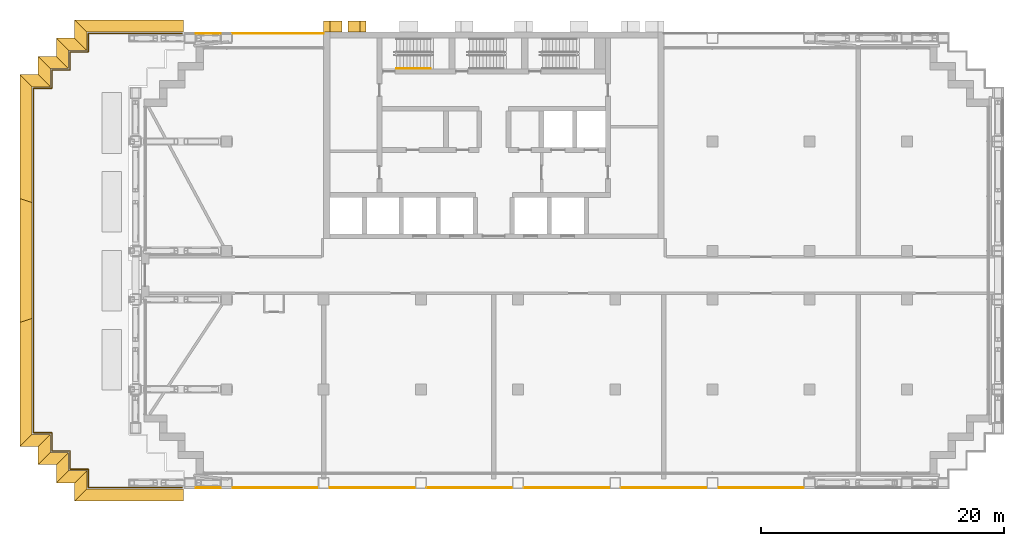
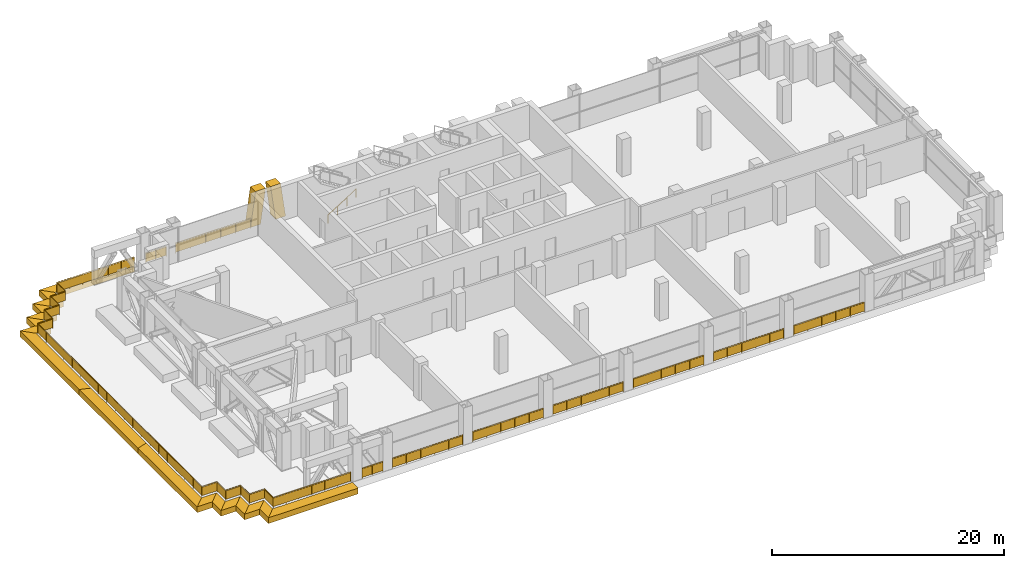
# One storey, part 17 of 19: 19 shading devices, 11 railings.
"""IFC4 building model written with IfcOpenShell, lengths in metres."""

import ifcopenshell
import ifcopenshell.guid

model = None  # the IFC model being written
_history = None  # IfcOwnerHistory: only IFC2X3 demands one
_inside = {}  # id of a spatial element -> (the spatial element, [elements in it])
_under = {}  # id of a project, library or spatial element -> (it, [spatial elements below it])
_declared = {}  # id of a project -> (the project, [libraries it declares])
_typed = {}  # id of a type object -> (the type object, [elements of that type])
_made_of = {}  # id of a material, layer set ... -> (it, [elements and type objects made of it])


def new_model(schema):
    """Start an empty IFC model of exactly this schema.

    Asked for "IFC4X3", IfcOpenShell would pick the latest addendum, in which some entities
    have other attributes; the version numbers below select the first issue.
    IFC2X3 requires an IfcOwnerHistory on every rooted entity: one is made here for all.
    """
    global model, _history
    if schema == "IFC4X3":
        model = ifcopenshell.file(schema_version=(4, 3, 0, 0))
    else:
        model = ifcopenshell.file(schema=schema)
    _inside.clear()
    _under.clear()
    _declared.clear()
    _typed.clear()
    _made_of.clear()
    _history = None
    if model.schema == "IFC2X3":
        org = make("IfcOrganization", Name="unknown")
        user = make(
            "IfcPersonAndOrganization",
            ThePerson=make("IfcPerson", FamilyName="unknown"),
            TheOrganization=org,
        )
        app = make(
            "IfcApplication",
            ApplicationDeveloper=org,
            Version="unknown",
            ApplicationFullName="unknown",
            ApplicationIdentifier="unknown",
        )
        _history = make(
            "IfcOwnerHistory",
            OwningUser=user,
            OwningApplication=app,
            ChangeAction="ADDED",
            CreationDate=0,
        )
    return model


def make(cls, **values):
    """One entity of the class cls with the attributes given. An attribute that is None is left unset."""
    return model.create_entity(
        cls, **{name: value for name, value in values.items() if value is not None}
    )


def rooted(cls, **values):
    """An entity with a GlobalId (a new one), such as an element, a storey or a relation."""
    return make(cls, GlobalId=ifcopenshell.guid.new(), OwnerHistory=_history, **values)


def si_unit(unit_type, name, prefix=None):
    """IfcSIUnit, for example si_unit("LENGTHUNIT", "METRE", prefix="MILLI")."""
    return make("IfcSIUnit", UnitType=unit_type, Prefix=prefix, Name=name)


def assignment(units):
    """IfcUnitAssignment: the units of a project."""
    return None if units is None else make("IfcUnitAssignment", Units=units)


def point(xyz):
    """IfcCartesianPoint."""
    return None if xyz is None else make("IfcCartesianPoint", Coordinates=xyz)


def direction(xyz):
    """IfcDirection."""
    return None if xyz is None else make("IfcDirection", DirectionRatios=xyz)


def frame(location, z_axis=None, x_axis=None):
    """IfcAxis2Placement3D, a coordinate frame: its origin and axes. An axis left out is left unset."""
    return make(
        "IfcAxis2Placement3D",
        Location=point(location),
        Axis=direction(z_axis),
        RefDirection=direction(x_axis),
    )


def frame_2d(location, x_axis=None):
    """IfcAxis2Placement2D, a coordinate frame in the plane: its origin and x axis."""
    return make(
        "IfcAxis2Placement2D", Location=point(location), RefDirection=direction(x_axis)
    )


def origin():
    """The frame at (0, 0, 0) with its axes left unset."""
    return frame((0.0, 0.0, 0.0))


def origin_2d():
    """The frame at (0, 0) in the plane with its x axis left unset."""
    return frame_2d((0.0, 0.0))


def place(relative_to, where):
    """IfcLocalPlacement: puts the frame where relative to a parent placement (None: the world)."""
    return make(
        "IfcLocalPlacement", PlacementRelTo=relative_to, RelativePlacement=where
    )


def context(
    kind, dimensions, precision=None, world=None, true_north=None, identifier=None
):
    """IfcGeometricRepresentationContext, for example the 3D "Model" context."""
    return make(
        "IfcGeometricRepresentationContext",
        ContextIdentifier=identifier,
        ContextType=kind,
        CoordinateSpaceDimension=dimensions,
        Precision=precision,
        WorldCoordinateSystem=world,
        TrueNorth=true_north,
    )


def subcontext(parent, identifier, kind, view, scale=None):
    """IfcGeometricRepresentationSubContext, for example "Body" below "Model"."""
    return make(
        "IfcGeometricRepresentationSubContext",
        ContextIdentifier=identifier,
        ContextType=kind,
        ParentContext=parent,
        TargetScale=scale,
        TargetView=view,
    )


def project(units=None, contexts=None):
    """IfcProject with its units and contexts."""
    return rooted(
        "IfcProject",
        Name="project",
        RepresentationContexts=contexts,
        UnitsInContext=assignment(units),
    )


def spatial(cls, under=None, at=None, **own):
    """A site, building, storey or space (cls), placed at a placement, below another one or the project."""
    s = rooted(cls, ObjectPlacement=at, **own)
    if under is not None:
        _under.setdefault(under.id(), (under, []))[1].append(s)
    return s


def polyline(points):
    """IfcPolyline through the points."""
    return make("IfcPolyline", Points=[point(p) for p in points])


def profile(cls, at=None, kind="AREA", **sizes):
    """A parametric profile (cls). Its sizes go by their IFC names, for example OverallWidth=200.0."""
    return make(cls, ProfileType=kind, Position=at, **sizes)


def rectangle(**sizes):
    """IfcRectangleProfileDef."""
    return profile("IfcRectangleProfileDef", **sizes)


def circle(**sizes):
    """IfcCircleProfileDef."""
    return profile("IfcCircleProfileDef", **sizes)


def outline(outer, holes=None, kind="AREA"):
    """IfcArbitraryClosedProfileDef: a profile drawn as a closed curve; with holes, ...WithVoids."""
    if holes is None:
        return make("IfcArbitraryClosedProfileDef", ProfileType=kind, OuterCurve=outer)
    return make(
        "IfcArbitraryProfileDefWithVoids",
        ProfileType=kind,
        OuterCurve=outer,
        InnerCurves=holes,
    )


def extrude(swept, where, along, depth):
    """IfcExtrudedAreaSolid: the profile swept, set in the frame where, extruded along a direction by depth."""
    return make(
        "IfcExtrudedAreaSolid",
        SweptArea=swept,
        Position=where,
        ExtrudedDirection=direction(along),
        Depth=depth,
    )


def shape(context_of_items, identifier, shape_type, items):
    """IfcShapeRepresentation: the items that make up one representation, for example the "Body"."""
    return make(
        "IfcShapeRepresentation",
        ContextOfItems=context_of_items,
        RepresentationIdentifier=identifier,
        RepresentationType=shape_type,
        Items=items,
    )


def material(Name=None, Category=None):
    """IfcMaterial."""
    return make("IfcMaterial", Name=Name, Category=Category)


def layer(
    of_material, thickness, ventilated=None, Name=None, Category=None, Priority=None
):
    """IfcMaterialLayer: one layer of a wall or slab, of a material (None: an air gap)."""
    return make(
        "IfcMaterialLayer",
        Material=of_material,
        LayerThickness=thickness,
        IsVentilated=ventilated,
        Name=Name,
        Category=Category,
        Priority=Priority,
    )


def layer_set(layers, Name=None):
    """IfcMaterialLayerSet."""
    return make("IfcMaterialLayerSet", MaterialLayers=layers, LayerSetName=Name)


def made_of(thing, what):
    """Note that an element or type object is made of a material, layer set ...; save() writes the relation."""
    if what is not None:
        _made_of.setdefault(what.id(), (what, []))[1].append(thing)
    return thing


def type_object(cls, material=None, **own):
    """A type object (cls), such as IfcWallType, which elements share."""
    return made_of(rooted(cls, **own), material)


def element(
    cls,
    number,
    at=None,
    inside=None,
    cuts=None,
    type_object=None,
    material=None,
    context=None,
    identifier="Body",
    shape_type=None,
    held_by="IfcProductDefinitionShape",
    body=None,
    shapes=None,
    **own,
):
    """One element of the class cls, such as IfcWall. Its Tag is "e" and its number.

    at: its placement. inside: the storey or other place that contains it. cuts: it is an
    opening in that element (IfcRelVoidsElement). A single representation is given by context,
    identifier, shape_type and body (its items); several are given by shapes. held_by: the class
    of the entity that holds the representations. save() writes the other relations.
    """
    e = rooted(cls, Tag="e%d" % number, ObjectPlacement=at, **own)
    if body is not None:
        shapes = [shape(context, identifier, shape_type, body)]
    if shapes is not None:
        e.Representation = make(held_by, Representations=shapes)
    if inside is not None:
        _inside.setdefault(inside.id(), (inside, []))[1].append(e)
    if cuts is not None:
        rooted(
            "IfcRelVoidsElement", RelatingBuildingElement=cuts, RelatedOpeningElement=e
        )
    if type_object is not None:
        _typed.setdefault(type_object.id(), (type_object, []))[1].append(e)
    return made_of(e, material)


def aggregate(whole, parts):
    """IfcRelAggregates: a whole, such as a stair, and the parts it consists of."""
    return rooted("IfcRelAggregates", RelatingObject=whole, RelatedObjects=parts)


def save(model, path):
    """Write the relations noted so far, then the file.

    IfcRelAggregates (storeys below a building ...), IfcRelContainedInSpatialStructure (elements
    in a storey), IfcRelDefinesByType, IfcRelAssociatesMaterial and IfcRelDeclares: one each for
    every whole, place, type object, material and project.
    """
    for whole, parts in _under.values():
        aggregate(whole, parts)
    for where, things in _inside.values():
        rooted(
            "IfcRelContainedInSpatialStructure",
            RelatedElements=things,
            RelatingStructure=where,
        )
    for kind, things in _typed.values():
        rooted("IfcRelDefinesByType", RelatedObjects=things, RelatingType=kind)
    for what, things in _made_of.values():
        rooted("IfcRelAssociatesMaterial", RelatedObjects=things, RelatingMaterial=what)
    for by, libraries in _declared.values():
        rooted("IfcRelDeclares", RelatingContext=by, RelatedDefinitions=libraries)
    model.write(path)


model = new_model("IFC4")

# Units and contexts
model_context = context("Model", 3, precision=1e-05, world=origin(), true_north=direction((0.0, 1.0)))
body_context = subcontext(model_context, "Body", "Model", "MODEL_VIEW")
ifc_project = project(units=[si_unit("LENGTHUNIT", "METRE"), si_unit("AREAUNIT", "SQUARE_METRE"), si_unit("VOLUMEUNIT", "CUBIC_METRE"), si_unit("PLANEANGLEUNIT", "RADIAN"), si_unit("MASSUNIT", "GRAM", prefix="KILO")], contexts=[model_context])

# Site, building, storey
site_placement = place(None, origin())
site = spatial("IfcSite", under=ifc_project, at=site_placement, CompositionType="ELEMENT")
building_placement = place(site_placement, origin())
building = spatial("IfcBuilding", under=site, at=building_placement, Name="Vidyagriha Tower", CompositionType="ELEMENT")
storey_placement = place(building_placement, frame((0.0, 0.0, 73.60009765625)))
storey = spatial("IfcBuildingStorey", under=building, at=storey_placement, Name="L18", CompositionType="ELEMENT", Elevation=73.60009765625)

# Shading devices
ifc_material_1 = material(Name="Precast concrete C40/50 with brick facing", Category="concrete")
ifc_layer_1 = layer(ifc_material_1, 1.0)
ifc_layer_set_1 = layer_set([ifc_layer_1], Name="Precast concrete C40/50 with brick facing")
shading_device_type_1 = type_object("IfcShadingDeviceType", Name="Brick chhajja fascia 600", PredefinedType="USERDEFINED", material=ifc_layer_set_1)
shading_device_1_placement = place(storey_placement, frame((0.0, 0.0, -0.60009765625)))
element("IfcShadingDevice", 1, at=shading_device_1_placement, inside=storey, type_object=shading_device_type_1, Name="Chhajja fascia TR-B2-1 1", ObjectType="CHHAJJA", PredefinedType="USERDEFINED", context=body_context, shape_type="SweptSolid", body=[
    extrude(outline(polyline([(-25.550048828125, 20.0), (-25.550048828125, 21.0), (-34.5, 21.0), (-33.5, 20.0), (-25.550048828125, 20.0)])), origin(), (0.0, 0.0, 1.0), 0.60009765625),
])
shading_device_2_placement = place(storey_placement, frame((0.0, 0.0, -0.60009765625)))
element("IfcShadingDevice", 2, at=shading_device_2_placement, inside=storey, type_object=shading_device_type_1, Name="Chhajja fascia TR-B2-1 2", ObjectType="CHHAJJA", PredefinedType="USERDEFINED", context=body_context, shape_type="SweptSolid", body=[
    extrude(outline(polyline([(-33.5, 20.0), (-34.5, 21.0), (-34.5, 19.5), (-33.5, 18.5), (-33.5, 20.0)])), origin(), (0.0, 0.0, 1.0), 0.60009765625),
])
shading_device_3_placement = place(storey_placement, frame((0.0, 0.0, -0.60009765625)))
element("IfcShadingDevice", 3, at=shading_device_3_placement, inside=storey, type_object=shading_device_type_1, Name="Chhajja fascia TR-B2-1 3", ObjectType="CHHAJJA", PredefinedType="USERDEFINED", context=body_context, shape_type="SweptSolid", body=[
    extrude(outline(polyline([(-33.5, 18.5), (-34.5, 19.5), (-36.0, 19.5), (-35.0, 18.5), (-33.5, 18.5)])), origin(), (0.0, 0.0, 1.0), 0.60009765625),
])
shading_device_4_placement = place(storey_placement, frame((0.0, 0.0, -0.60009765625)))
element("IfcShadingDevice", 4, at=shading_device_4_placement, inside=storey, type_object=shading_device_type_1, Name="Chhajja fascia TR-B2-1 4", ObjectType="CHHAJJA", PredefinedType="USERDEFINED", context=body_context, shape_type="SweptSolid", body=[
    extrude(outline(polyline([(-35.0, 18.5), (-36.0, 19.5), (-36.0, 18.0), (-35.0, 17.0), (-35.0, 18.5)])), origin(), (0.0, 0.0, 1.0), 0.60009765625),
])
shading_device_5_placement = place(storey_placement, frame((0.0, 0.0, -0.60009765625)))
element("IfcShadingDevice", 5, at=shading_device_5_placement, inside=storey, type_object=shading_device_type_1, Name="Chhajja fascia TR-B2-1 5", ObjectType="CHHAJJA", PredefinedType="USERDEFINED", context=body_context, shape_type="SweptSolid", body=[
    extrude(outline(polyline([(-35.0, 17.0), (-36.0, 18.0), (-37.5, 18.0), (-36.5, 17.0), (-35.0, 17.0)])), origin(), (0.0, 0.0, 1.0), 0.60009765625),
])
shading_device_6_placement = place(storey_placement, frame((0.0, 0.0, -0.60009765625)))
element("IfcShadingDevice", 6, at=shading_device_6_placement, inside=storey, type_object=shading_device_type_1, Name="Chhajja fascia TR-B2-1 6", ObjectType="CHHAJJA", PredefinedType="USERDEFINED", context=body_context, shape_type="SweptSolid", body=[
    extrude(outline(polyline([(-36.5, 17.0), (-37.5, 18.0), (-37.5, 16.5), (-36.5, 15.5), (-36.5, 17.0)])), origin(), (0.0, 0.0, 1.0), 0.60009765625),
])
shading_device_7_placement = place(storey_placement, frame((0.0, 0.0, -0.60009765625)))
element("IfcShadingDevice", 7, at=shading_device_7_placement, inside=storey, type_object=shading_device_type_1, Name="Chhajja fascia TR-B2-1 7", ObjectType="CHHAJJA", PredefinedType="USERDEFINED", context=body_context, shape_type="SweptSolid", body=[
    extrude(outline(polyline([(-36.5, 15.5), (-37.5, 16.5), (-39.0, 16.5), (-38.0, 15.5), (-36.5, 15.5)])), origin(), (0.0, 0.0, 1.0), 0.60009765625),
])
shading_device_8_placement = place(storey_placement, frame((0.0, 0.0, -0.60009765625)))
element("IfcShadingDevice", 8, at=shading_device_8_placement, inside=storey, type_object=shading_device_type_1, Name="Chhajja fascia TR-B2-1 8", ObjectType="CHHAJJA", PredefinedType="USERDEFINED", context=body_context, shape_type="SweptSolid", body=[
    extrude(outline(polyline([(-38.0, 15.5), (-39.0, 16.5), (-39.0, 6.300048828125), (-38.0, 5.966796875), (-38.0, 15.5)])), origin(), (0.0, 0.0, 1.0), 0.60009765625),
])
shading_device_9_placement = place(storey_placement, frame((0.0, 0.0, -0.60009765625)))
element("IfcShadingDevice", 9, at=shading_device_9_placement, inside=storey, type_object=shading_device_type_1, Name="Chhajja fascia TR-B2-1 9", ObjectType="CHHAJJA", PredefinedType="USERDEFINED", context=body_context, shape_type="SweptSolid", body=[
    extrude(outline(polyline([(-38.0, 5.966796875), (-39.0, 6.300048828125), (-39.0, -3.89990234375), (-38.0, -3.566650390625), (-38.0, 5.966796875)])), origin(), (0.0, 0.0, 1.0), 0.60009765625),
])
shading_device_10_placement = place(storey_placement, frame((0.0, 0.0, -0.60009765625)))
element("IfcShadingDevice", 10, at=shading_device_10_placement, inside=storey, type_object=shading_device_type_1, Name="Chhajja fascia TR-B2-1 10", ObjectType="CHHAJJA", PredefinedType="USERDEFINED", context=body_context, shape_type="SweptSolid", body=[
    extrude(outline(polyline([(-38.0, -3.566650390625), (-39.0, -3.89990234375), (-39.0, -14.10009765625), (-38.0, -13.10009765625), (-38.0, -3.566650390625)])), origin(), (0.0, 0.0, 1.0), 0.60009765625),
])
shading_device_11_placement = place(storey_placement, frame((0.0, 0.0, -0.60009765625)))
element("IfcShadingDevice", 11, at=shading_device_11_placement, inside=storey, type_object=shading_device_type_1, Name="Chhajja fascia TR-B2-1 11", ObjectType="CHHAJJA", PredefinedType="USERDEFINED", context=body_context, shape_type="SweptSolid", body=[
    extrude(outline(polyline([(-38.0, -13.10009765625), (-39.0, -14.10009765625), (-37.5, -14.10009765625), (-36.5, -13.10009765625), (-38.0, -13.10009765625)])), origin(), (0.0, 0.0, 1.0), 0.60009765625),
])
shading_device_12_placement = place(storey_placement, frame((0.0, 0.0, -0.60009765625)))
element("IfcShadingDevice", 12, at=shading_device_12_placement, inside=storey, type_object=shading_device_type_1, Name="Chhajja fascia TR-B2-1 12", ObjectType="CHHAJJA", PredefinedType="USERDEFINED", context=body_context, shape_type="SweptSolid", body=[
    extrude(outline(polyline([(-36.5, -13.10009765625), (-37.5, -14.10009765625), (-37.5, -15.60009765625), (-36.5, -14.60009765625), (-36.5, -13.10009765625)])), origin(), (0.0, 0.0, 1.0), 0.60009765625),
])
shading_device_13_placement = place(storey_placement, frame((0.0, 0.0, -0.60009765625)))
element("IfcShadingDevice", 13, at=shading_device_13_placement, inside=storey, type_object=shading_device_type_1, Name="Chhajja fascia TR-B2-1 13", ObjectType="CHHAJJA", PredefinedType="USERDEFINED", context=body_context, shape_type="SweptSolid", body=[
    extrude(outline(polyline([(-36.5, -14.60009765625), (-37.5, -15.60009765625), (-36.0, -15.60009765625), (-35.0, -14.60009765625), (-36.5, -14.60009765625)])), origin(), (0.0, 0.0, 1.0), 0.60009765625),
])
shading_device_14_placement = place(storey_placement, frame((0.0, 0.0, -0.60009765625)))
element("IfcShadingDevice", 14, at=shading_device_14_placement, inside=storey, type_object=shading_device_type_1, Name="Chhajja fascia TR-B2-1 14", ObjectType="CHHAJJA", PredefinedType="USERDEFINED", context=body_context, shape_type="SweptSolid", body=[
    extrude(outline(polyline([(-35.0, -14.60009765625), (-36.0, -15.60009765625), (-36.0, -17.10009765625), (-35.0, -16.10009765625), (-35.0, -14.60009765625)])), origin(), (0.0, 0.0, 1.0), 0.60009765625),
])
shading_device_15_placement = place(storey_placement, frame((0.0, 0.0, -0.60009765625)))
element("IfcShadingDevice", 15, at=shading_device_15_placement, inside=storey, type_object=shading_device_type_1, Name="Chhajja fascia TR-B2-1 15", ObjectType="CHHAJJA", PredefinedType="USERDEFINED", context=body_context, shape_type="SweptSolid", body=[
    extrude(outline(polyline([(-35.0, -16.10009765625), (-36.0, -17.10009765625), (-34.5, -17.10009765625), (-33.5, -16.10009765625), (-35.0, -16.10009765625)])), origin(), (0.0, 0.0, 1.0), 0.60009765625),
])
shading_device_16_placement = place(storey_placement, frame((0.0, 0.0, -0.60009765625)))
element("IfcShadingDevice", 16, at=shading_device_16_placement, inside=storey, type_object=shading_device_type_1, Name="Chhajja fascia TR-B2-1 16", ObjectType="CHHAJJA", PredefinedType="USERDEFINED", context=body_context, shape_type="SweptSolid", body=[
    extrude(outline(polyline([(-33.5, -16.10009765625), (-34.5, -17.10009765625), (-34.5, -18.60009765625), (-33.5, -17.60009765625), (-33.5, -16.10009765625)])), origin(), (0.0, 0.0, 1.0), 0.60009765625),
])
shading_device_17_placement = place(storey_placement, frame((0.0, 0.0, -0.60009765625)))
element("IfcShadingDevice", 17, at=shading_device_17_placement, inside=storey, type_object=shading_device_type_1, Name="Chhajja fascia TR-B2-1 17", ObjectType="CHHAJJA", PredefinedType="USERDEFINED", context=body_context, shape_type="SweptSolid", body=[
    extrude(outline(polyline([(-33.5, -17.60009765625), (-34.5, -18.60009765625), (-25.550048828125, -18.60009765625), (-25.550048828125, -17.60009765625), (-33.5, -17.60009765625)])), origin(), (0.0, 0.0, 1.0), 0.60009765625),
])
ifc_material_2 = material(Name="Precast concrete C40/50 with brick facing", Category="concrete")
ifc_layer_2 = layer(ifc_material_2, 1.0)
ifc_layer_set_2 = layer_set([ifc_layer_2], Name="Precast concrete C40/50 with brick facing")
shading_device_type_2 = type_object("IfcShadingDeviceType", Name="Brick-faced rear rib arm leaning 8 degrees", PredefinedType="USERDEFINED", material=ifc_layer_set_2)
shading_device_18_placement = place(storey_placement, frame((-10.5, 20.449951171875, 0.0), z_axis=(0.0, 0.0, 1.0), x_axis=(-1.0, 0.0, 0.0)))
element("IfcShadingDevice", 18, at=shading_device_18_placement, inside=storey, type_object=shading_device_type_2, Name="Rear rib arm L18 R08.5a", ObjectType="BLADE FIN", PredefinedType="USERDEFINED", context=body_context, shape_type="SweptSolid", body=[
    extrude(outline(polyline([(0.0, 0.0), (1.0, 0.0), (1.5, 3.619873046875), (0.5, 3.619873046875), (0.0, 0.0)])), frame((0.0, 0.449951171875, 0.0), z_axis=(0.0, -1.0, 0.0), x_axis=(1.0, 0.0, 0.0)), (0.0, 0.0, 1.0), 0.89990234375),
])
shading_device_19_placement = place(storey_placement, frame((-12.5, 20.449951171875, 0.0), z_axis=(0.0, 0.0, 1.0), x_axis=(-1.0, 0.0, 0.0)))
element("IfcShadingDevice", 19, at=shading_device_19_placement, inside=storey, type_object=shading_device_type_2, Name="Rear rib arm L18 R08.5b", ObjectType="BLADE FIN", PredefinedType="USERDEFINED", context=body_context, shape_type="SweptSolid", body=[
    extrude(outline(polyline([(0.5, 0.0), (1.5, 0.0), (1.0, 3.619873046875), (0.0, 3.619873046875), (0.5, 0.0)])), frame((0.0, 0.449951171875, 0.0), z_axis=(0.0, -1.0, 0.0), x_axis=(1.0, 0.0, 0.0)), (0.0, 0.0, 1.0), 0.89990234375),
])

# Railings
ifc_material_3 = material(Name="Steel ASTM A500 Grade C black painted", Category="steel")
railing_type_1 = type_object("IfcRailingType", Name="Gallery guard 1100", PredefinedType="GUARDRAIL", material=ifc_material_3)
railing_1_placement = place(storey_placement, frame((-22.47998046875, -17.5, 0.0)))
element("IfcRailing", 20, at=railing_1_placement, inside=storey, type_object=railing_type_1, Name="Gallery guard L18 1", PredefinedType="GUARDRAIL", context=body_context, shape_type="SweptSolid", body=[
    extrude(circle(Radius=0.02490234375, at=origin_2d()), frame((0.0, 0.0, 1.0751953125), z_axis=(-1.0, 0.0, 0.0), x_axis=(0.0, -1.0, 0.0)), (0.0, 0.0, 1.0), 2.0400390625),
    extrude(circle(Radius=0.02001953125, at=origin_2d()), origin(), (0.0, 0.0, 1.0), 1.050048828125),
    extrude(circle(Radius=0.02001953125, at=origin_2d()), frame((-1.02001953125, 0.0, 0.0)), (0.0, 0.0, 1.0), 1.050048828125),
    extrude(circle(Radius=0.02001953125, at=origin_2d()), frame((-2.0400390625, 0.0, 0.0)), (0.0, 0.0, 1.0), 1.050048828125),
    extrude(rectangle(XDim=0.010009765625, YDim=0.900146484375, at=origin_2d()), frame((0.0, 0.0, 0.550048828125), z_axis=(-1.0, 0.0, 0.0), x_axis=(0.0, -1.0, 0.0)), (0.0, 0.0, 1.0), 2.0400390625),
])
railing_2_placement = place(storey_placement, frame((-24.52001953125, 19.89990234375, 0.0)))
element("IfcRailing", 21, at=railing_2_placement, inside=storey, type_object=railing_type_1, Name="Gallery guard L18 2", PredefinedType="GUARDRAIL", context=body_context, shape_type="SweptSolid", body=[
    extrude(circle(Radius=0.02490234375, at=origin_2d()), frame((0.0, 0.0, 1.0751953125), z_axis=(1.0, 0.0, 0.0), x_axis=(0.0, 1.0, 0.0)), (0.0, 0.0, 1.0), 2.0400390625),
    extrude(circle(Radius=0.02001953125, at=origin_2d()), origin(), (0.0, 0.0, 1.0), 1.050048828125),
    extrude(circle(Radius=0.02001953125, at=origin_2d()), frame((1.02001953125, 0.0, 0.0)), (0.0, 0.0, 1.0), 1.050048828125),
    extrude(circle(Radius=0.02001953125, at=origin_2d()), frame((2.0400390625, 0.0, 0.0)), (0.0, 0.0, 1.0), 1.050048828125),
    extrude(rectangle(XDim=0.010009765625, YDim=0.900146484375, at=origin_2d()), frame((0.0, 0.0, 0.550048828125), z_axis=(1.0, 0.0, 0.0), x_axis=(0.0, 1.0, 0.0)), (0.0, 0.0, 1.0), 2.0400390625),
])
railing_3_placement = place(storey_placement, frame((-14.47998046875, -17.5, 0.0)))
element("IfcRailing", 22, at=railing_3_placement, inside=storey, type_object=railing_type_1, Name="Gallery guard L18 3", PredefinedType="GUARDRAIL", context=body_context, shape_type="SweptSolid", body=[
    extrude(circle(Radius=0.02490234375, at=origin_2d()), frame((0.0, 0.0, 1.0751953125), z_axis=(-1.0, 0.0, 0.0), x_axis=(0.0, -1.0, 0.0)), (0.0, 0.0, 1.0), 7.0400390625),
    extrude(circle(Radius=0.02001953125, at=origin_2d()), origin(), (0.0, 0.0, 1.0), 1.050048828125),
    extrude(circle(Radius=0.02001953125, at=origin_2d()), frame((-1.407958984375, 0.0, 0.0)), (0.0, 0.0, 1.0), 1.050048828125),
    extrude(circle(Radius=0.02001953125, at=origin_2d()), frame((-2.81591796875, 0.0, 0.0)), (0.0, 0.0, 1.0), 1.050048828125),
    extrude(circle(Radius=0.02001953125, at=origin_2d()), frame((-4.22412109375, 0.0, 0.0)), (0.0, 0.0, 1.0), 1.050048828125),
    extrude(circle(Radius=0.02001953125, at=origin_2d()), frame((-5.632080078125, 0.0, 0.0)), (0.0, 0.0, 1.0), 1.050048828125),
    extrude(circle(Radius=0.02001953125, at=origin_2d()), frame((-7.0400390625, 0.0, 0.0)), (0.0, 0.0, 1.0), 1.050048828125),
    extrude(rectangle(XDim=0.010009765625, YDim=0.900146484375, at=origin_2d()), frame((0.0, 0.0, 0.550048828125), z_axis=(-1.0, 0.0, 0.0), x_axis=(0.0, -1.0, 0.0)), (0.0, 0.0, 1.0), 7.0400390625),
])
railing_4_placement = place(storey_placement, frame((-21.52001953125, 19.89990234375, 0.0)))
element("IfcRailing", 23, at=railing_4_placement, inside=storey, type_object=railing_type_1, Name="Gallery guard L18 4", PredefinedType="GUARDRAIL", context=body_context, shape_type="SweptSolid", body=[
    extrude(circle(Radius=0.02490234375, at=origin_2d()), frame((0.0, 0.0, 1.0751953125), z_axis=(1.0, 0.0, 0.0), x_axis=(0.0, 1.0, 0.0)), (0.0, 0.0, 1.0), 7.489990234375),
    extrude(circle(Radius=0.02001953125, at=origin_2d()), origin(), (0.0, 0.0, 1.0), 1.050048828125),
    extrude(circle(Radius=0.02001953125, at=origin_2d()), frame((1.498046875, 0.0, 0.0)), (0.0, 0.0, 1.0), 1.050048828125),
    extrude(circle(Radius=0.02001953125, at=origin_2d()), frame((2.99609375, 0.0, 0.0)), (0.0, 0.0, 1.0), 1.050048828125),
    extrude(circle(Radius=0.02001953125, at=origin_2d()), frame((4.493896484375, 0.0, 0.0)), (0.0, 0.0, 1.0), 1.050048828125),
    extrude(circle(Radius=0.02001953125, at=origin_2d()), frame((5.991943359375, 0.0, 0.0)), (0.0, 0.0, 1.0), 1.050048828125),
    extrude(circle(Radius=0.02001953125, at=origin_2d()), frame((7.489990234375, 0.0, 0.0)), (0.0, 0.0, 1.0), 1.050048828125),
    extrude(rectangle(XDim=0.010009765625, YDim=0.900146484375, at=origin_2d()), frame((0.0, 0.0, 0.550048828125), z_axis=(1.0, 0.0, 0.0), x_axis=(0.0, 1.0, 0.0)), (0.0, 0.0, 1.0), 7.489990234375),
])
for number, where, name in (
    (24, (-6.47998046875, -17.5, 0.0), "Gallery guard L18 5"),
    (25, (1.52001953125, -17.5, 0.0), "Gallery guard L18 6"),
    (26, (9.52001953125, -17.5, 0.0), "Gallery guard L18 7"),
    (27, (17.52001953125, -17.5, 0.0), "Gallery guard L18 8"),
    (28, (25.52001953125, -17.5, 0.0), "Gallery guard L18 10"),
):
    element("IfcRailing", number, at=place(storey_placement, frame(where)), inside=storey, type_object=railing_type_1, Name=name, PredefinedType="GUARDRAIL", context=body_context, shape_type="SweptSolid", body=[
        extrude(circle(Radius=0.02490234375, at=origin_2d()), frame((0.0, 0.0, 1.0751953125), z_axis=(-1.0, 0.0, 0.0), x_axis=(0.0, -1.0, 0.0)), (0.0, 0.0, 1.0), 7.0400390625),
        extrude(circle(Radius=0.02001953125, at=origin_2d()), origin(), (0.0, 0.0, 1.0), 1.050048828125),
        extrude(circle(Radius=0.02001953125, at=origin_2d()), frame((-1.407958984375, 0.0, 0.0)), (0.0, 0.0, 1.0), 1.050048828125),
        extrude(circle(Radius=0.02001953125, at=origin_2d()), frame((-2.81591796875, 0.0, 0.0)), (0.0, 0.0, 1.0), 1.050048828125),
        extrude(circle(Radius=0.02001953125, at=origin_2d()), frame((-4.22412109375, 0.0, 0.0)), (0.0, 0.0, 1.0), 1.050048828125),
        extrude(circle(Radius=0.02001953125, at=origin_2d()), frame((-5.632080078125, 0.0, 0.0)), (0.0, 0.0, 1.0), 1.050048828125),
        extrude(circle(Radius=0.02001953125, at=origin_2d()), frame((-7.0400390625, 0.0, 0.0)), (0.0, 0.0, 1.0), 1.050048828125),
        extrude(rectangle(XDim=0.010009765625, YDim=0.900146484375, at=origin_2d()), frame((0.0, 0.0, 0.550048828125), z_axis=(-1.0, 0.0, 0.0), x_axis=(0.0, -1.0, 0.0)), (0.0, 0.0, 1.0), 7.0400390625),
    ])
ifc_material_4 = material(Name="Steel ASTM A500 Grade C", Category="steel")
railing_type_2 = type_object("IfcRailingType", Name="Stair handrail 900 mm, steel", PredefinedType="HANDRAIL", material=ifc_material_4)
railing_5_placement = place(storey_placement, frame((-8.0, 17.0, 0.17724609375)))
element("IfcRailing", 29, at=railing_5_placement, inside=storey, type_object=railing_type_2, Name="L18 ST1 stair handrail 1", PredefinedType="HANDRAIL", context=body_context, shape_type="SweptSolid", body=[
    extrude(circle(Radius=0.02392578125, at=origin_2d()), frame((0.0, 0.0, 0.8759765625), z_axis=(0.844908973607, 0.0, 0.534910110503), x_axis=(0.0, 1.0, 0.0)), (0.0, 0.0, 1.0), 3.31396484375),
    extrude(circle(Radius=0.02099609375, at=origin_2d()), origin(), (0.0, 0.0, 1.0), 0.851806640625),
    extrude(circle(Radius=0.02099609375, at=origin_2d()), frame((0.933349609375, 0.0, 0.5908203125)), (0.0, 0.0, 1.0), 0.851806640625),
    extrude(circle(Radius=0.02099609375, at=origin_2d()), frame((1.86669921875, 0.0, 1.181884765625)), (0.0, 0.0, 1.0), 0.851806640625),
    extrude(circle(Radius=0.02099609375, at=origin_2d()), frame((2.800048828125, 0.0, 1.772705078125)), (0.0, 0.0, 1.0), 0.851806640625),
])
ifc_material_5 = material(Name="Steel ASTM A500 Grade C black painted", Category="steel")
railing_type_3 = type_object("IfcRailingType", Name="Terrace guard 1100", PredefinedType="GUARDRAIL", material=ifc_material_5)
railing_6_placement = place(storey_placement, frame((-25.669921875, -17.47998046875, 0.0)))
element("IfcRailing", 30, at=railing_6_placement, inside=storey, type_object=railing_type_3, Name="Terrace guard TR-B2-1 1", PredefinedType="GUARDRAIL", context=body_context, shape_type="SweptSolid", body=[
    extrude(circle(Radius=0.02490234375, at=origin_2d()), frame((0.0, 0.0, 1.0751953125), z_axis=(-1.0, 0.0, 0.0), x_axis=(0.0, -1.0, 0.0)), (0.0, 0.0, 1.0), 7.7099609375),
    extrude(circle(Radius=0.02490234375, at=origin_2d()), frame((-7.7099609375, 0.0, 1.0751953125), z_axis=(0.0, 1.0, 0.0), x_axis=(-1.0, 0.0, 0.0)), (0.0, 0.0, 1.0), 1.5),
    extrude(circle(Radius=0.02490234375, at=origin_2d()), frame((-7.7099609375, 1.5, 1.0751953125), z_axis=(-1.0, 0.0, 0.0), x_axis=(0.0, -1.0, 0.0)), (0.0, 0.0, 1.0), 1.5),
    extrude(circle(Radius=0.02490234375, at=origin_2d()), frame((-9.2099609375, 1.5, 1.0751953125), z_axis=(0.0, 1.0, 0.0), x_axis=(-1.0, 0.0, 0.0)), (0.0, 0.0, 1.0), 1.5),
    extrude(circle(Radius=0.02490234375, at=origin_2d()), frame((-9.2099609375, 3.0, 1.0751953125), z_axis=(-1.0, 0.0, 0.0), x_axis=(0.0, -1.0, 0.0)), (0.0, 0.0, 1.0), 1.5),
    extrude(circle(Radius=0.02490234375, at=origin_2d()), frame((-10.7099609375, 3.0, 1.0751953125), z_axis=(0.0, 1.0, 0.0), x_axis=(-1.0, 0.0, 0.0)), (0.0, 0.0, 1.0), 1.5),
    extrude(circle(Radius=0.02490234375, at=origin_2d()), frame((-10.7099609375, 4.5, 1.0751953125), z_axis=(-1.0, 0.0, 0.0), x_axis=(0.0, -1.0, 0.0)), (0.0, 0.0, 1.0), 1.5),
    extrude(circle(Radius=0.02490234375, at=origin_2d()), frame((-12.2099609375, 4.5, 1.0751953125), z_axis=(0.0, 1.0, 0.0), x_axis=(-1.0, 0.0, 0.0)), (0.0, 0.0, 1.0), 28.35986328125),
    extrude(circle(Radius=0.02490234375, at=origin_2d()), frame((-12.2099609375, 32.85986328125, 1.0751953125), z_axis=(1.0, 0.0, 0.0), x_axis=(0.0, 1.0, 0.0)), (0.0, 0.0, 1.0), 1.5),
    extrude(circle(Radius=0.02490234375, at=origin_2d()), frame((-10.7099609375, 32.85986328125, 1.0751953125), z_axis=(0.0, 1.0, 0.0), x_axis=(-1.0, 0.0, 0.0)), (0.0, 0.0, 1.0), 1.5),
    extrude(circle(Radius=0.02490234375, at=origin_2d()), frame((-10.7099609375, 34.35986328125, 1.0751953125), z_axis=(1.0, 0.0, 0.0), x_axis=(0.0, 1.0, 0.0)), (0.0, 0.0, 1.0), 1.5),
    extrude(circle(Radius=0.02490234375, at=origin_2d()), frame((-9.2099609375, 34.35986328125, 1.0751953125), z_axis=(0.0, 1.0, 0.0), x_axis=(-1.0, 0.0, 0.0)), (0.0, 0.0, 1.0), 1.5),
    extrude(circle(Radius=0.02490234375, at=origin_2d()), frame((-9.2099609375, 35.85986328125, 1.0751953125), z_axis=(1.0, 0.0, 0.0), x_axis=(0.0, 1.0, 0.0)), (0.0, 0.0, 1.0), 1.5),
    extrude(circle(Radius=0.02490234375, at=origin_2d()), frame((-7.7099609375, 35.85986328125, 1.0751953125), z_axis=(0.0, 1.0, 0.0), x_axis=(-1.0, 0.0, 0.0)), (0.0, 0.0, 1.0), 1.5),
    extrude(circle(Radius=0.02490234375, at=origin_2d()), frame((-7.7099609375, 37.35986328125, 1.0751953125), z_axis=(1.0, 0.0, 0.0), x_axis=(0.0, 1.0, 0.0)), (0.0, 0.0, 1.0), 7.7099609375),
    extrude(circle(Radius=0.02001953125, at=origin_2d()), origin(), (0.0, 0.0, 1.0), 1.050048828125),
    extrude(circle(Radius=0.02001953125, at=origin_2d()), frame((-1.284912109375, 0.0, 0.0)), (0.0, 0.0, 1.0), 1.050048828125),
    extrude(circle(Radius=0.02001953125, at=origin_2d()), frame((-2.570068359375, 0.0, 0.0)), (0.0, 0.0, 1.0), 1.050048828125),
    extrude(circle(Radius=0.02001953125, at=origin_2d()), frame((-3.85498046875, 0.0, 0.0)), (0.0, 0.0, 1.0), 1.050048828125),
    extrude(circle(Radius=0.02001953125, at=origin_2d()), frame((-5.139892578125, 0.0, 0.0)), (0.0, 0.0, 1.0), 1.050048828125),
    extrude(circle(Radius=0.02001953125, at=origin_2d()), frame((-6.425048828125, 0.0, 0.0)), (0.0, 0.0, 1.0), 1.050048828125),
    extrude(circle(Radius=0.02001953125, at=origin_2d()), frame((-7.7099609375, 0.0, 0.0)), (0.0, 0.0, 1.0), 1.050048828125),
    extrude(circle(Radius=0.02001953125, at=origin_2d()), frame((-7.7099609375, 1.5, 0.0)), (0.0, 0.0, 1.0), 1.050048828125),
    extrude(circle(Radius=0.02001953125, at=origin_2d()), frame((-9.2099609375, 1.5, 0.0)), (0.0, 0.0, 1.0), 1.050048828125),
    extrude(circle(Radius=0.02001953125, at=origin_2d()), frame((-9.2099609375, 3.0, 0.0)), (0.0, 0.0, 1.0), 1.050048828125),
    extrude(circle(Radius=0.02001953125, at=origin_2d()), frame((-10.7099609375, 3.0, 0.0)), (0.0, 0.0, 1.0), 1.050048828125),
    extrude(circle(Radius=0.02001953125, at=origin_2d()), frame((-10.7099609375, 4.5, 0.0)), (0.0, 0.0, 1.0), 1.050048828125),
    extrude(circle(Radius=0.02001953125, at=origin_2d()), frame((-12.2099609375, 4.5, 0.0)), (0.0, 0.0, 1.0), 1.050048828125),
    extrude(circle(Radius=0.02001953125, at=origin_2d()), frame((-12.2099609375, 5.99267578125, 0.0)), (0.0, 0.0, 1.0), 1.050048828125),
    extrude(circle(Radius=0.02001953125, at=origin_2d()), frame((-12.2099609375, 7.4853515625, 0.0)), (0.0, 0.0, 1.0), 1.050048828125),
    extrude(circle(Radius=0.02001953125, at=origin_2d()), frame((-12.2099609375, 8.977783203125, 0.0)), (0.0, 0.0, 1.0), 1.050048828125),
    extrude(circle(Radius=0.02001953125, at=origin_2d()), frame((-12.2099609375, 10.470458984375, 0.0)), (0.0, 0.0, 1.0), 1.050048828125),
    extrude(circle(Radius=0.02001953125, at=origin_2d()), frame((-12.2099609375, 11.963134765625, 0.0)), (0.0, 0.0, 1.0), 1.050048828125),
    extrude(circle(Radius=0.02001953125, at=origin_2d()), frame((-12.2099609375, 13.455810546875, 0.0)), (0.0, 0.0, 1.0), 1.050048828125),
    extrude(circle(Radius=0.02001953125, at=origin_2d()), frame((-12.2099609375, 14.948486328125, 0.0)), (0.0, 0.0, 1.0), 1.050048828125),
    extrude(circle(Radius=0.02001953125, at=origin_2d()), frame((-12.2099609375, 16.44091796875, 0.0)), (0.0, 0.0, 1.0), 1.050048828125),
    extrude(circle(Radius=0.02001953125, at=origin_2d()), frame((-12.2099609375, 17.93359375, 0.0)), (0.0, 0.0, 1.0), 1.050048828125),
    extrude(circle(Radius=0.02001953125, at=origin_2d()), frame((-12.2099609375, 19.42626953125, 0.0)), (0.0, 0.0, 1.0), 1.050048828125),
    extrude(circle(Radius=0.02001953125, at=origin_2d()), frame((-12.2099609375, 20.9189453125, 0.0)), (0.0, 0.0, 1.0), 1.050048828125),
    extrude(circle(Radius=0.02001953125, at=origin_2d()), frame((-12.2099609375, 22.411376953125, 0.0)), (0.0, 0.0, 1.0), 1.050048828125),
    extrude(circle(Radius=0.02001953125, at=origin_2d()), frame((-12.2099609375, 23.904052734375, 0.0)), (0.0, 0.0, 1.0), 1.050048828125),
    extrude(circle(Radius=0.02001953125, at=origin_2d()), frame((-12.2099609375, 25.396728515625, 0.0)), (0.0, 0.0, 1.0), 1.050048828125),
    extrude(circle(Radius=0.02001953125, at=origin_2d()), frame((-12.2099609375, 26.889404296875, 0.0)), (0.0, 0.0, 1.0), 1.050048828125),
    extrude(circle(Radius=0.02001953125, at=origin_2d()), frame((-12.2099609375, 28.382080078125, 0.0)), (0.0, 0.0, 1.0), 1.050048828125),
    extrude(circle(Radius=0.02001953125, at=origin_2d()), frame((-12.2099609375, 29.87451171875, 0.0)), (0.0, 0.0, 1.0), 1.050048828125),
    extrude(circle(Radius=0.02001953125, at=origin_2d()), frame((-12.2099609375, 31.3671875, 0.0)), (0.0, 0.0, 1.0), 1.050048828125),
    extrude(circle(Radius=0.02001953125, at=origin_2d()), frame((-12.2099609375, 32.85986328125, 0.0)), (0.0, 0.0, 1.0), 1.050048828125),
    extrude(circle(Radius=0.02001953125, at=origin_2d()), frame((-10.7099609375, 32.85986328125, 0.0)), (0.0, 0.0, 1.0), 1.050048828125),
    extrude(circle(Radius=0.02001953125, at=origin_2d()), frame((-10.7099609375, 34.35986328125, 0.0)), (0.0, 0.0, 1.0), 1.050048828125),
    extrude(circle(Radius=0.02001953125, at=origin_2d()), frame((-9.2099609375, 34.35986328125, 0.0)), (0.0, 0.0, 1.0), 1.050048828125),
    extrude(circle(Radius=0.02001953125, at=origin_2d()), frame((-9.2099609375, 35.85986328125, 0.0)), (0.0, 0.0, 1.0), 1.050048828125),
    extrude(circle(Radius=0.02001953125, at=origin_2d()), frame((-7.7099609375, 35.85986328125, 0.0)), (0.0, 0.0, 1.0), 1.050048828125),
    extrude(circle(Radius=0.02001953125, at=origin_2d()), frame((-7.7099609375, 37.35986328125, 0.0)), (0.0, 0.0, 1.0), 1.050048828125),
    extrude(circle(Radius=0.02001953125, at=origin_2d()), frame((-6.425048828125, 37.35986328125, 0.0)), (0.0, 0.0, 1.0), 1.050048828125),
    extrude(circle(Radius=0.02001953125, at=origin_2d()), frame((-5.139892578125, 37.35986328125, 0.0)), (0.0, 0.0, 1.0), 1.050048828125),
    extrude(circle(Radius=0.02001953125, at=origin_2d()), frame((-3.85498046875, 37.35986328125, 0.0)), (0.0, 0.0, 1.0), 1.050048828125),
    extrude(circle(Radius=0.02001953125, at=origin_2d()), frame((-2.570068359375, 37.35986328125, 0.0)), (0.0, 0.0, 1.0), 1.050048828125),
    extrude(circle(Radius=0.02001953125, at=origin_2d()), frame((-1.284912109375, 37.35986328125, 0.0)), (0.0, 0.0, 1.0), 1.050048828125),
    extrude(circle(Radius=0.02001953125, at=origin_2d()), frame((0.0, 37.35986328125, 0.0)), (0.0, 0.0, 1.0), 1.050048828125),
    extrude(rectangle(XDim=0.010009765625, YDim=0.900146484375, at=origin_2d()), frame((0.0, 0.0, 0.550048828125), z_axis=(-1.0, 0.0, 0.0), x_axis=(0.0, -1.0, 0.0)), (0.0, 0.0, 1.0), 7.7099609375),
    extrude(rectangle(XDim=0.010009765625, YDim=0.900146484375, at=origin_2d()), frame((-7.7099609375, 0.0, 0.550048828125), z_axis=(0.0, 1.0, 0.0), x_axis=(-1.0, 0.0, 0.0)), (0.0, 0.0, 1.0), 1.5),
    extrude(rectangle(XDim=0.010009765625, YDim=0.900146484375, at=origin_2d()), frame((-7.7099609375, 1.5, 0.550048828125), z_axis=(-1.0, 0.0, 0.0), x_axis=(0.0, -1.0, 0.0)), (0.0, 0.0, 1.0), 1.5),
    extrude(rectangle(XDim=0.010009765625, YDim=0.900146484375, at=origin_2d()), frame((-9.2099609375, 1.5, 0.550048828125), z_axis=(0.0, 1.0, 0.0), x_axis=(-1.0, 0.0, 0.0)), (0.0, 0.0, 1.0), 1.5),
    extrude(rectangle(XDim=0.010009765625, YDim=0.900146484375, at=origin_2d()), frame((-9.2099609375, 3.0, 0.550048828125), z_axis=(-1.0, 0.0, 0.0), x_axis=(0.0, -1.0, 0.0)), (0.0, 0.0, 1.0), 1.5),
    extrude(rectangle(XDim=0.010009765625, YDim=0.900146484375, at=origin_2d()), frame((-10.7099609375, 3.0, 0.550048828125), z_axis=(0.0, 1.0, 0.0), x_axis=(-1.0, 0.0, 0.0)), (0.0, 0.0, 1.0), 1.5),
    extrude(rectangle(XDim=0.010009765625, YDim=0.900146484375, at=origin_2d()), frame((-10.7099609375, 4.5, 0.550048828125), z_axis=(-1.0, 0.0, 0.0), x_axis=(0.0, -1.0, 0.0)), (0.0, 0.0, 1.0), 1.5),
    extrude(rectangle(XDim=0.010009765625, YDim=0.900146484375, at=origin_2d()), frame((-12.2099609375, 4.5, 0.550048828125), z_axis=(0.0, 1.0, 0.0), x_axis=(-1.0, 0.0, 0.0)), (0.0, 0.0, 1.0), 28.35986328125),
    extrude(rectangle(XDim=0.010009765625, YDim=0.900146484375, at=origin_2d()), frame((-12.2099609375, 32.85986328125, 0.550048828125), z_axis=(1.0, 0.0, 0.0), x_axis=(0.0, 1.0, 0.0)), (0.0, 0.0, 1.0), 1.5),
    extrude(rectangle(XDim=0.010009765625, YDim=0.900146484375, at=origin_2d()), frame((-10.7099609375, 32.85986328125, 0.550048828125), z_axis=(0.0, 1.0, 0.0), x_axis=(-1.0, 0.0, 0.0)), (0.0, 0.0, 1.0), 1.5),
    extrude(rectangle(XDim=0.010009765625, YDim=0.900146484375, at=origin_2d()), frame((-10.7099609375, 34.35986328125, 0.550048828125), z_axis=(1.0, 0.0, 0.0), x_axis=(0.0, 1.0, 0.0)), (0.0, 0.0, 1.0), 1.5),
    extrude(rectangle(XDim=0.010009765625, YDim=0.900146484375, at=origin_2d()), frame((-9.2099609375, 34.35986328125, 0.550048828125), z_axis=(0.0, 1.0, 0.0), x_axis=(-1.0, 0.0, 0.0)), (0.0, 0.0, 1.0), 1.5),
    extrude(rectangle(XDim=0.010009765625, YDim=0.900146484375, at=origin_2d()), frame((-9.2099609375, 35.85986328125, 0.550048828125), z_axis=(1.0, 0.0, 0.0), x_axis=(0.0, 1.0, 0.0)), (0.0, 0.0, 1.0), 1.5),
    extrude(rectangle(XDim=0.010009765625, YDim=0.900146484375, at=origin_2d()), frame((-7.7099609375, 35.85986328125, 0.550048828125), z_axis=(0.0, 1.0, 0.0), x_axis=(-1.0, 0.0, 0.0)), (0.0, 0.0, 1.0), 1.5),
    extrude(rectangle(XDim=0.010009765625, YDim=0.900146484375, at=origin_2d()), frame((-7.7099609375, 37.35986328125, 0.550048828125), z_axis=(1.0, 0.0, 0.0), x_axis=(0.0, 1.0, 0.0)), (0.0, 0.0, 1.0), 7.7099609375),
])

save(model, "model.ifc")
